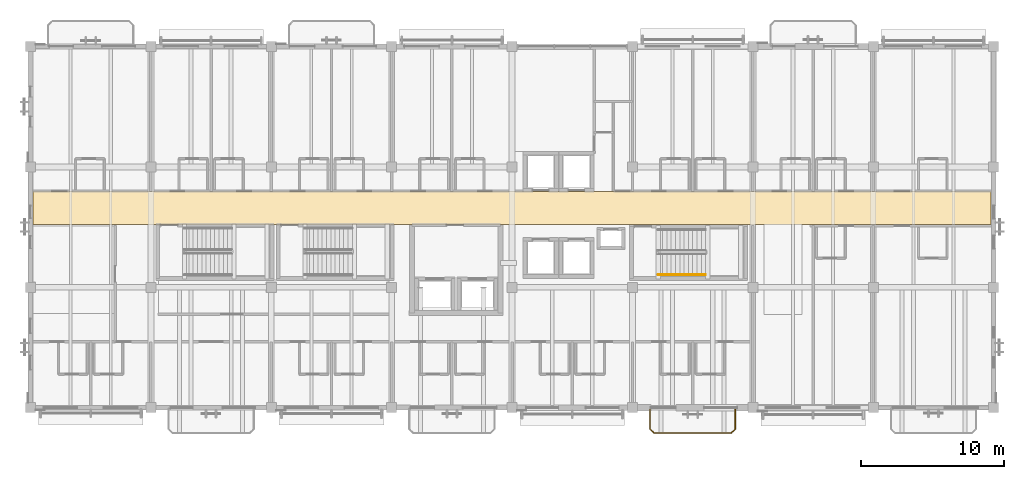
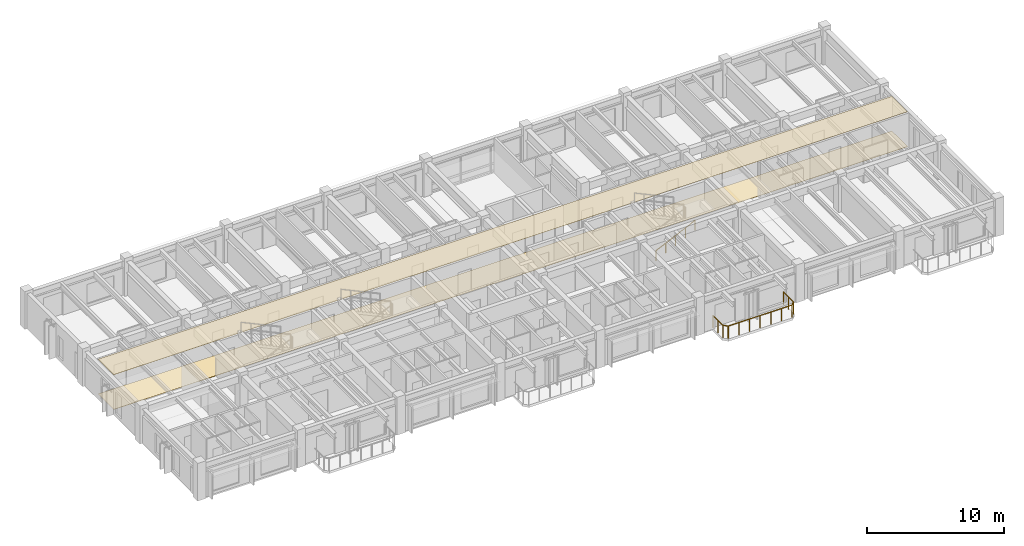
# One storey, part 16 of 18: 2 coverings, 2 railings.
"""IFC4 building model written with IfcOpenShell, lengths in metres."""

from ifc_helpers import new_model, si_unit, direction, frame, origin, origin_2d, place, context, subcontext, project, spatial, polyline, circle, outline, extrude, material, layer, layer_set, type_object, element, save


model = new_model("IFC4")

# Units and contexts
model_context = context("Model", 3, precision=1e-05, world=origin(), true_north=direction((0.0, 1.0)))
body_context = subcontext(model_context, "Body", "Model", "MODEL_VIEW")
ifc_project = project(units=[si_unit("LENGTHUNIT", "METRE"), si_unit("AREAUNIT", "SQUARE_METRE"), si_unit("VOLUMEUNIT", "CUBIC_METRE"), si_unit("PLANEANGLEUNIT", "RADIAN"), si_unit("MASSUNIT", "GRAM", prefix="KILO")], contexts=[model_context])

# Site, building, storey
site_placement = place(None, origin())
site = spatial("IfcSite", under=ifc_project, at=site_placement, CompositionType="ELEMENT")
building_placement = place(site_placement, origin())
building = spatial("IfcBuilding", under=site, at=building_placement, Name="Cumbredor Promenade Congress Hotel", CompositionType="ELEMENT")
storey_placement = place(building_placement, frame((0.0, 0.0, 25.199951171875)))
storey = spatial("IfcBuildingStorey", under=building, at=storey_placement, Name="L07", CompositionType="ELEMENT", Elevation=25.199951171875)

# Coverings
ifc_material_1 = material(Name="Acoustic mineral-fiber and gypsum ceiling")
ifc_layer_1 = layer(ifc_material_1, 0.02197265625, Name="Acoustic mineral-fiber and gypsum ceiling")
ifc_layer_set_1 = layer_set([ifc_layer_1], Name="Acoustic mineral-fiber and gypsum ceiling")
covering_type_1 = type_object("IfcCoveringType", Name="Acoustic Perforated Gypsum Ceiling CLG-02 22mm", PredefinedType="CEILING", material=ifc_layer_set_1)
covering_1_placement = place(storey_placement, frame((0.0, 0.0, 3.09814453125)))
element("IfcCovering", 1, at=covering_1_placement, inside=storey, type_object=covering_type_1, Name="L07 Hotel Guest Corridor Acoustic Ceiling", PredefinedType="CEILING", context=body_context, shape_type="SweptSolid", body=[
    extrude(outline(polyline([(67.02001953125, 105.179931640625), (67.02001953125, 107.469970703125), (0.179931640625, 107.469970703125), (0.179931640625, 105.179931640625), (67.02001953125, 105.179931640625)])), origin(), (0.0, 0.0, 1.0), 0.02197265625),
])
ifc_material_2 = material(Name="Porcelain stoneware tile", Category="masonry")
ifc_layer_2 = layer(ifc_material_2, 0.02001953125, Name="Porcelain stoneware tile", Category="masonry")
ifc_layer_set_2 = layer_set([ifc_layer_2], Name="Porcelain stoneware tile")
covering_type_2 = type_object("IfcCoveringType", Name="Porcelain Stoneware Flooring FLR-01 20mm", PredefinedType="FLOORING", material=ifc_layer_set_2)
covering_2_placement = place(storey_placement, origin())
element("IfcCovering", 2, at=covering_2_placement, inside=storey, type_object=covering_type_2, Name="L07 Hotel Guest Corridor Porcelain Flooring", PredefinedType="FLOORING", context=body_context, shape_type="SweptSolid", body=[
    extrude(outline(polyline([(67.02001953125, 105.179931640625), (67.02001953125, 107.469970703125), (0.179931640625, 107.469970703125), (0.179931640625, 105.179931640625), (67.02001953125, 105.179931640625)])), origin(), (0.0, 0.0, 1.0), 0.02001953125),
])

# Railings
ifc_material_3 = material(Name="Brushed stainless steel", Category="steel")
railing_type_1 = type_object("IfcRailingType", Name="Stair Pitch Handrail HR-900", PredefinedType="HANDRAIL", material=ifc_material_3)
railing_1_placement = place(storey_placement, frame((43.800048828125, 101.669921875, 0.14013671875)))
element("IfcRailing", 3, at=railing_1_placement, inside=storey, type_object=railing_type_1, Name="L07 ST-03 stair handrail 1", PredefinedType="HANDRAIL", context=body_context, shape_type="SweptSolid", body=[
    extrude(circle(Radius=0.02392578125, at=origin_2d()), frame((0.0, 0.0, 0.8759765625), z_axis=(0.906207117075, 0.0, 0.422834082074), x_axis=(0.0, 1.0, 0.0)), (0.0, 0.0, 1.0), 3.6416015625),
    extrude(circle(Radius=0.02099609375, at=origin_2d()), origin(), (0.0, 0.0, 1.0), 0.851806640625),
    extrude(circle(Radius=0.02099609375, at=origin_2d()), frame((0.824951171875, 0.0, 0.385009765625)), (0.0, 0.0, 1.0), 0.851806640625),
    extrude(circle(Radius=0.02099609375, at=origin_2d()), frame((1.64990234375, 0.0, 0.77001953125)), (0.0, 0.0, 1.0), 0.851806640625),
    extrude(circle(Radius=0.02099609375, at=origin_2d()), frame((2.47509765625, 0.0, 1.15478515625)), (0.0, 0.0, 1.0), 0.851806640625),
    extrude(circle(Radius=0.02099609375, at=origin_2d()), frame((3.300048828125, 0.0, 1.539794921875)), (0.0, 0.0, 1.0), 0.851806640625),
])
railing_type_2 = type_object("IfcRailingType", Name="Terrace Perimeter Balustrade BAL-1120", PredefinedType="BALUSTRADE", material=ifc_material_3)
railing_2_placement = place(storey_placement, frame((43.22998046875, 92.35009765625, 0.0)))
element("IfcRailing", 4, at=railing_2_placement, inside=storey, type_object=railing_type_2, Name="L07 Veranda Balcony Balustrade 047", PredefinedType="BALUSTRADE", context=body_context, shape_type="SweptSolid", body=[
    extrude(circle(Radius=0.02392578125, at=origin_2d()), frame((0.0, 0.0, 1.09619140625), z_axis=(0.0, -1.0, 0.0), x_axis=(1.0, 0.0, 0.0)), (0.0, 0.0, 1.0), 1.440185546875),
    extrude(circle(Radius=0.02392578125, at=origin_2d()), frame((0.0, -1.440185546875, 1.09619140625), z_axis=(0.707106781187, -0.707106781187, 0.0), x_axis=(0.707106781187, 0.707106781187, 0.0)), (0.0, 0.0, 1.0), 0.39599609375),
    extrude(circle(Radius=0.02392578125, at=origin_2d()), frame((0.280029296875, -1.72021484375, 1.09619140625), z_axis=(1.0, 0.0, 0.0), x_axis=(0.0, 1.0, 0.0)), (0.0, 0.0, 1.0), 5.3798828125),
    extrude(circle(Radius=0.02392578125, at=origin_2d()), frame((5.659912109375, -1.72021484375, 1.09619140625), z_axis=(0.707106781187, 0.707106781187, 0.0), x_axis=(-0.707106781187, 0.707106781187, 0.0)), (0.0, 0.0, 1.0), 0.39599609375),
    extrude(circle(Radius=0.02392578125, at=origin_2d()), frame((5.93994140625, -1.440185546875, 1.09619140625), z_axis=(0.0, 1.0, 0.0), x_axis=(-1.0, 0.0, 0.0)), (0.0, 0.0, 1.0), 1.440185546875),
    extrude(circle(Radius=0.02099609375, at=origin_2d()), origin(), (0.0, 0.0, 1.0), 1.072021484375),
    extrude(circle(Radius=0.02099609375, at=origin_2d()), frame((0.0, -0.72021484375, 0.0)), (0.0, 0.0, 1.0), 1.072021484375),
    extrude(circle(Radius=0.02099609375, at=origin_2d()), frame((0.0, -1.440185546875, 0.0)), (0.0, 0.0, 1.0), 1.072021484375),
    extrude(circle(Radius=0.02099609375, at=origin_2d()), frame((0.280029296875, -1.72021484375, 0.0)), (0.0, 0.0, 1.0), 1.072021484375),
    extrude(circle(Radius=0.02099609375, at=origin_2d()), frame((1.1767578125, -1.72021484375, 0.0)), (0.0, 0.0, 1.0), 1.072021484375),
    extrude(circle(Radius=0.02099609375, at=origin_2d()), frame((2.0732421875, -1.72021484375, 0.0)), (0.0, 0.0, 1.0), 1.072021484375),
    extrude(circle(Radius=0.02099609375, at=origin_2d()), frame((2.969970703125, -1.72021484375, 0.0)), (0.0, 0.0, 1.0), 1.072021484375),
    extrude(circle(Radius=0.02099609375, at=origin_2d()), frame((3.86669921875, -1.72021484375, 0.0)), (0.0, 0.0, 1.0), 1.072021484375),
    extrude(circle(Radius=0.02099609375, at=origin_2d()), frame((4.76318359375, -1.72021484375, 0.0)), (0.0, 0.0, 1.0), 1.072021484375),
    extrude(circle(Radius=0.02099609375, at=origin_2d()), frame((5.659912109375, -1.72021484375, 0.0)), (0.0, 0.0, 1.0), 1.072021484375),
    extrude(circle(Radius=0.02099609375, at=origin_2d()), frame((5.93994140625, -1.440185546875, 0.0)), (0.0, 0.0, 1.0), 1.072021484375),
    extrude(circle(Radius=0.02099609375, at=origin_2d()), frame((5.93994140625, -0.72021484375, 0.0)), (0.0, 0.0, 1.0), 1.072021484375),
    extrude(circle(Radius=0.02099609375, at=origin_2d()), frame((5.93994140625, 0.0, 0.0)), (0.0, 0.0, 1.0), 1.072021484375),
])

save(model, "model.ifc")
